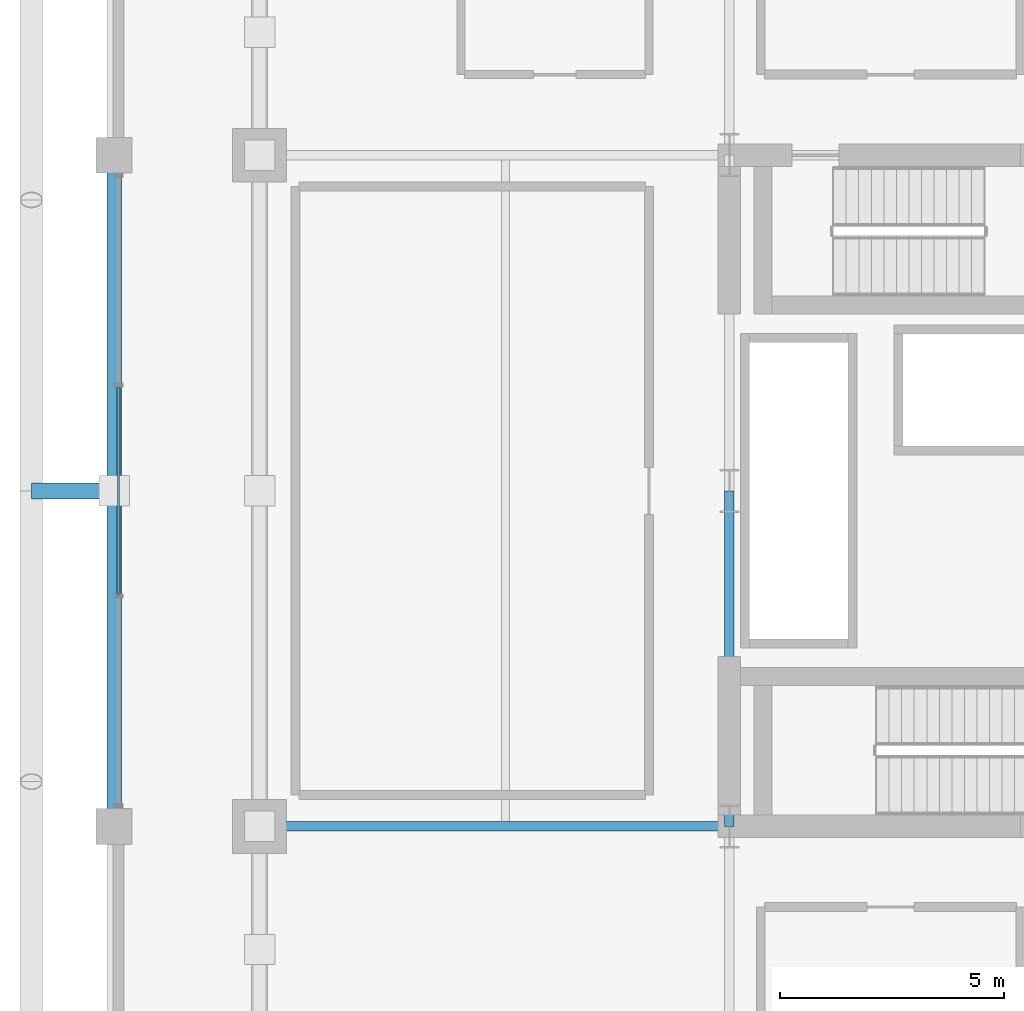
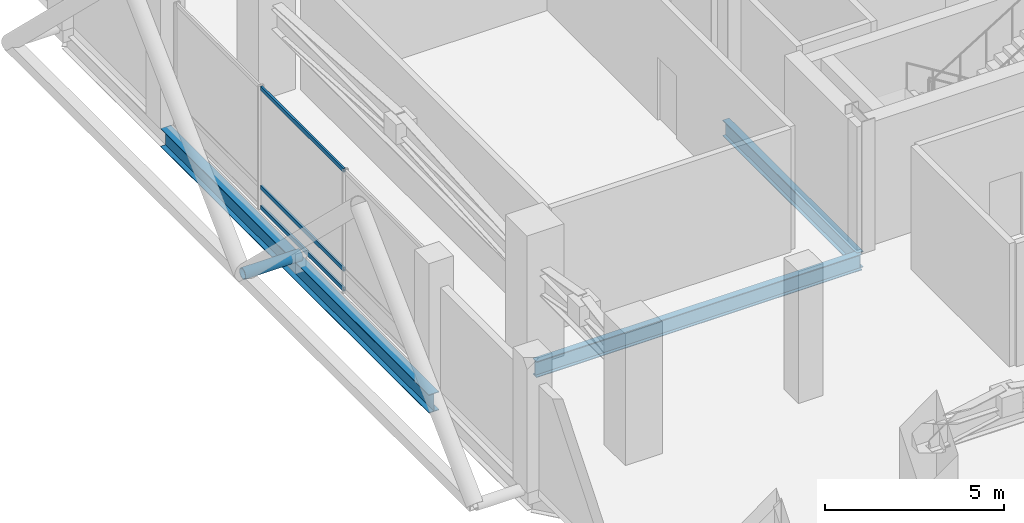
# One storey, part 6 of 22: 4 members, 3 beams, 1 element without a shape of its own.
"""IFC4 building model written with IfcOpenShell, lengths in metres."""

from ifc_helpers import new_model, si_unit, direction, frame, origin, origin_2d, place, context, subcontext, project, spatial, hollow_rectangle, hollow_circle, i_section, extrude, material, layer, layer_set, material_profile, profile_set, type_object, element, aggregate, save


model = new_model("IFC4")

# Units and contexts
model_context = context("Model", 3, precision=1e-05, world=origin(), true_north=direction((0.0, 1.0)))
body_context = subcontext(model_context, "Body", "Model", "MODEL_VIEW")
ifc_project = project(units=[si_unit("LENGTHUNIT", "METRE"), si_unit("AREAUNIT", "SQUARE_METRE"), si_unit("VOLUMEUNIT", "CUBIC_METRE"), si_unit("PLANEANGLEUNIT", "RADIAN"), si_unit("MASSUNIT", "GRAM", prefix="KILO")], contexts=[model_context])

# Site, building, storey
site_placement = place(None, origin())
site = spatial("IfcSite", under=ifc_project, at=site_placement, CompositionType="ELEMENT")
building_placement = place(site_placement, origin())
building = spatial("IfcBuilding", under=site, at=building_placement, Name="Barlavira Tower and Art Museum", CompositionType="ELEMENT")
storey_placement = place(building_placement, frame((0.0, 0.0, 120.60009765625)))
storey = spatial("IfcBuildingStorey", under=building, at=storey_placement, Name="L30", CompositionType="ELEMENT", Elevation=120.60009765625)

# Curtain wall, members
ifc_material_1 = material(Name="Low-iron coastal laminated glass", Category="glass")
ifc_layer = layer(ifc_material_1, 0.18994140625, Name="Low-iron coastal laminated glass")
ifc_layer_set = layer_set([ifc_layer], Name="Low-iron coastal laminated glass")
curtain_wall_type = type_object("IfcCurtainWallType", Name="Pale-Metal Unitised Curtain Wall Zone 2", PredefinedType="NOTDEFINED", material=ifc_layer_set)
curtain_wall_placement = place(storey_placement, origin())
curtain_wall = element("IfcCurtainWall", 1, at=curtain_wall_placement, inside=storey, type_object=curtain_wall_type, Name="L30 Curtain Wall CW2-L30-W-B3", PredefinedType="NOTDEFINED")
ifc_material_2 = material(Name="Pale anodised aluminium", Category="aluminium")
ifc_material_profile_1 = material_profile(ifc_material_2, hollow_rectangle(XDim=0.06494140625, YDim=0.139892578125, WallThickness=0.00390625, at=origin_2d()), Name="ALU-TRAN 65x140x4")
ifc_profile_set_1 = profile_set([ifc_material_profile_1], Name="Pale anodised aluminium")
member_type_1 = type_object("IfcMemberType", Name="Curtain Wall Pale-Metal Transom 65x140", PredefinedType="USERDEFINED", material=ifc_profile_set_1)
member_1_placement = place(storey_placement, frame((-20.14990234375, 2.31494140625, 0.06982421875), z_axis=(0.0, -1.0, 0.0), x_axis=(1.0, 0.0, 0.0)))
member_1 = element("IfcMember", 2, at=member_1_placement, type_object=member_type_1, Name="CW2-L30-W-B3 Transom 1.1", ObjectType="TRANSOM", PredefinedType="USERDEFINED", context=body_context, shape_type="SweptSolid", body=[
    extrude(hollow_rectangle(XDim=0.06494140625, YDim=0.139892578125, WallThickness=0.00390625, at=origin_2d()), origin(), (0.0, 0.0, 1.0), 4.6298828125),
])
member_2_placement = place(storey_placement, frame((-20.14990234375, 2.31494140625, 0.75), z_axis=(0.0, -1.0, 0.0), x_axis=(1.0, 0.0, 0.0)))
member_2 = element("IfcMember", 3, at=member_2_placement, type_object=member_type_1, Name="CW2-L30-W-B3 Transom 1.2", ObjectType="TRANSOM", PredefinedType="USERDEFINED", context=body_context, shape_type="SweptSolid", body=[
    extrude(hollow_rectangle(XDim=0.06494140625, YDim=0.139892578125, WallThickness=0.00390625, at=origin_2d()), origin(), (0.0, 0.0, 1.0), 4.6298828125),
])
member_3_placement = place(storey_placement, frame((-20.14990234375, 2.31494140625, 4.1298828125), z_axis=(0.0, -1.0, 0.0), x_axis=(1.0, 0.0, 0.0)))
member_3 = element("IfcMember", 4, at=member_3_placement, type_object=member_type_1, Name="CW2-L30-W-B3 Transom 1.3", ObjectType="TRANSOM", PredefinedType="USERDEFINED", context=body_context, shape_type="SweptSolid", body=[
    extrude(hollow_rectangle(XDim=0.06494140625, YDim=0.139892578125, WallThickness=0.00390625, at=origin_2d()), origin(), (0.0, 0.0, 1.0), 4.6298828125),
])
aggregate(curtain_wall, [member_1, member_2, member_3])

# Member
ifc_material_3 = material(Name="Steel S355", Category="steel")
ifc_material_profile_2 = material_profile(ifc_material_3, hollow_circle(Radius=0.177734375, WallThickness=0.01611328125, at=origin_2d()), Name="CHS 355.6x16.0")
ifc_profile_set_2 = profile_set([ifc_material_profile_2], Name="Steel S355")
member_type_2 = type_object("IfcMemberType", Name="Pale-Metal Exoskeleton Tie Strut CHS 356x16 Steel S355", PredefinedType="STRUT", material=ifc_profile_set_2)
member_4_placement = place(storey_placement, frame((-22.10009765625, 0.0, -0.1201171875), z_axis=(1.0, 0.0, 0.0), x_axis=(0.0, 1.0, 0.0)))
element("IfcMember", 5, at=member_4_placement, inside=storey, type_object=member_type_2, Name="L30 Exoskeleton Tie Strut W2", PredefinedType="STRUT", context=body_context, shape_type="SweptSolid", body=[
    extrude(hollow_circle(Radius=0.177734375, WallThickness=0.01611328125, at=origin_2d()), origin(), (0.0, 0.0, 1.0), 1.85009765625),
])

# Beams
ifc_material_profile_3 = material_profile(ifc_material_3, i_section(OverallWidth=0.327880859375, OverallDepth=0.62890625, WebThickness=0.013916015625, FlangeThickness=0.021484375, at=origin_2d()), Name="W610x174.0")
ifc_profile_set_3 = profile_set([ifc_material_profile_3], Name="Steel S355")
beam_type_1 = type_object("IfcBeamType", Name="Perimeter Spandrel Edge Beam W610x174 Steel S355", PredefinedType="SPANDREL", material=ifc_profile_set_3)
beam_1_placement = place(storey_placement, frame((-20.25, -7.5, -0.614501953125), z_axis=(0.0, 1.0, 0.0), x_axis=(-1.0, 0.0, 0.0)))
element("IfcBeam", 6, at=beam_1_placement, inside=storey, type_object=beam_type_1, Name="L30 Spandrel 14", PredefinedType="SPANDREL", context=body_context, shape_type="SweptSolid", body=[
    extrude(i_section(OverallWidth=0.327880859375, OverallDepth=0.62890625, WebThickness=0.013916015625, FlangeThickness=0.021484375, at=origin_2d()), origin(), (0.0, 0.0, 1.0), 15.0),
])
ifc_material_profile_4 = material_profile(ifc_material_3, i_section(OverallWidth=0.214111328125, OverallDepth=0.549072265625, WebThickness=0.0146484375, FlangeThickness=0.023681640625, at=origin_2d()), Name="W530x138.0")
ifc_profile_set_4 = profile_set([ifc_material_profile_4], Name="Steel S355")
beam_type_2 = type_object("IfcBeamType", Name="Zone 1 Primary Floor Girder W530x138 Steel S355", PredefinedType="BEAM", material=ifc_profile_set_4)
beam_2_placement = place(storey_placement, frame((-6.5, -7.5, -0.57470703125), z_axis=(0.0, 1.0, 0.0), x_axis=(-1.0, 0.0, 0.0)))
element("IfcBeam", 7, at=beam_2_placement, inside=storey, type_object=beam_type_2, Name="L30 Girder C-W1", PredefinedType="BEAM", context=body_context, shape_type="SweptSolid", body=[
    extrude(i_section(OverallWidth=0.214111328125, OverallDepth=0.549072265625, WebThickness=0.0146484375, FlangeThickness=0.023681640625, at=origin_2d()), origin(), (0.0, 0.0, 1.0), 7.5),
])
beam_3_placement = place(storey_placement, frame((-17.0, -7.5, -0.57470703125), z_axis=(1.0, 0.0, 0.0), x_axis=(0.0, 1.0, 0.0)))
element("IfcBeam", 8, at=beam_3_placement, inside=storey, type_object=beam_type_2, Name="L30 Girder R-W1", PredefinedType="BEAM", context=body_context, shape_type="SweptSolid", body=[
    extrude(i_section(OverallWidth=0.214111328125, OverallDepth=0.549072265625, WebThickness=0.0146484375, FlangeThickness=0.023681640625, at=origin_2d()), origin(), (0.0, 0.0, 1.0), 10.5),
])

save(model, "model.ifc")
